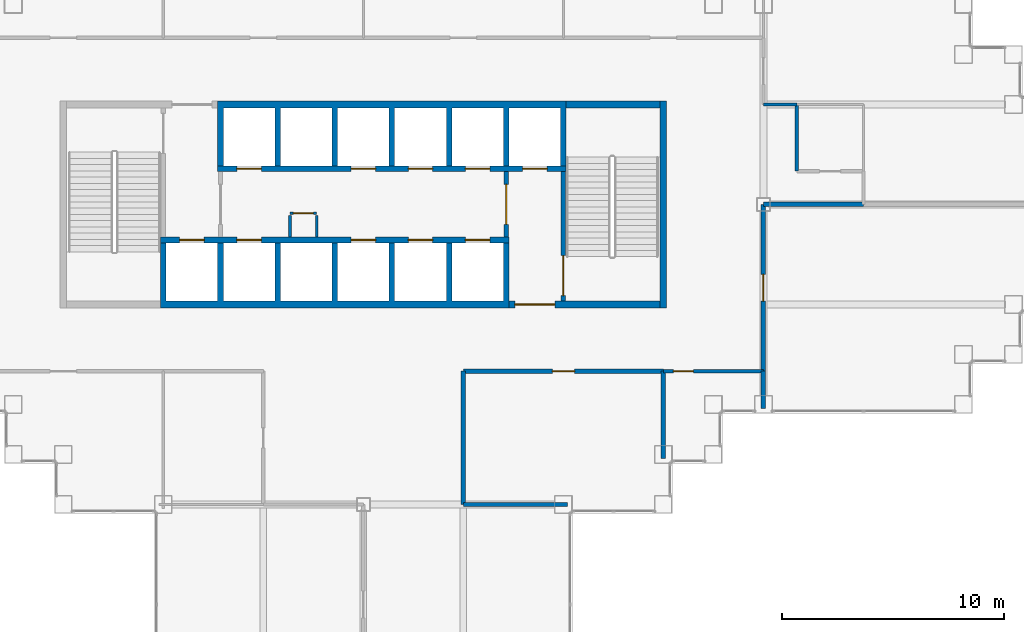
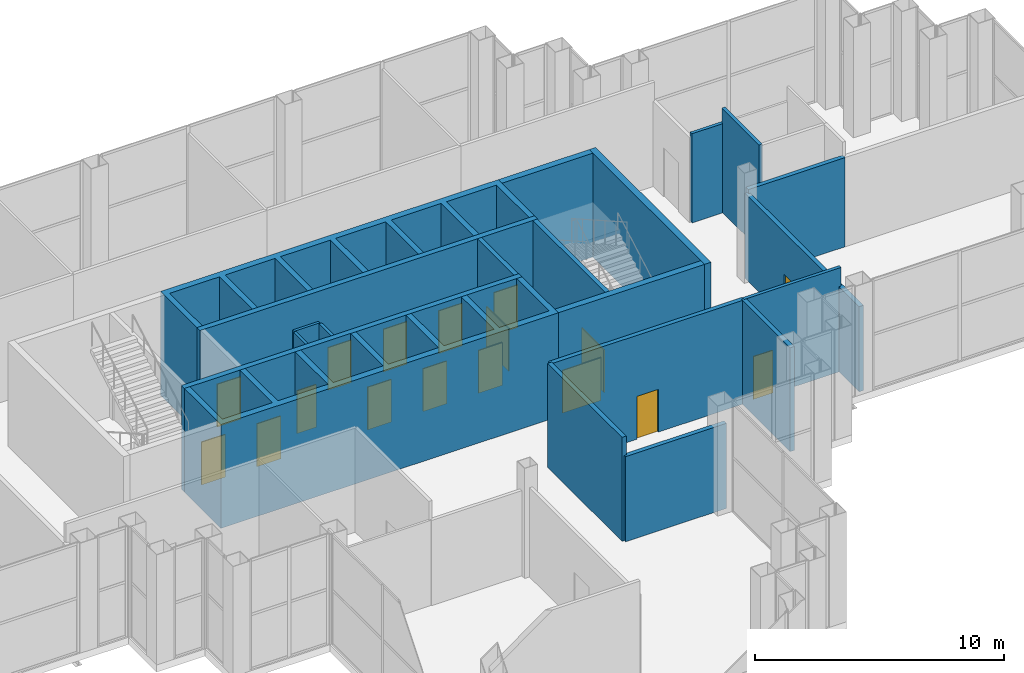
# One storey, part 12 of 18: 22 walls, 17 doors, 17 openings.
"""IFC4 building model written with IfcOpenShell, lengths in metres."""

from ifc_helpers import new_model, si_unit, direction, frame, frame_2d, origin, place, context, subcontext, project, spatial, polyline, rectangle, outline, extrude, material, layer, layer_set, type_object, element, fill, save


model = new_model("IFC4")

# Units and contexts
model_context = context("Model", 3, precision=1e-05, world=origin(), true_north=direction((0.0, 1.0)))
body_context = subcontext(model_context, "Body", "Model", "MODEL_VIEW")
ifc_project = project(units=[si_unit("LENGTHUNIT", "METRE"), si_unit("AREAUNIT", "SQUARE_METRE"), si_unit("VOLUMEUNIT", "CUBIC_METRE"), si_unit("PLANEANGLEUNIT", "RADIAN"), si_unit("MASSUNIT", "GRAM", prefix="KILO")], contexts=[model_context])

# Site, building, storey
site_placement = place(None, origin())
site = spatial("IfcSite", under=ifc_project, at=site_placement, CompositionType="ELEMENT")
building_placement = place(site_placement, origin())
building = spatial("IfcBuilding", under=site, at=building_placement, Name="Caravel Reach Hotel and Residences", CompositionType="ELEMENT")
storey_placement = place(building_placement, frame((0.0, 0.0, 145.199951171875)))
storey = spatial("IfcBuildingStorey", under=building, at=storey_placement, Name="L36", CompositionType="ELEMENT", Elevation=145.199951171875)

# Wall
ifc_material_1 = material(Name="Autoclaved aerated block wall")
ifc_layer_1 = layer(ifc_material_1, 0.199951171875)
ifc_layer_set_1 = layer_set([ifc_layer_1], Name="Compartment wall 200 mm EI 120")
wall_type_1 = type_object("IfcWallType", Name="Compartment wall 200 mm EI 120", PredefinedType="PARTITIONING", material=ifc_layer_set_1)
wall_1_placement = place(storey_placement, frame((36.0, 13.5, 0.0), z_axis=(0.0, 0.0, 1.0), x_axis=(1.0, 0.0, 0.0)))
element("IfcWall", 1, at=wall_1_placement, inside=storey, type_object=wall_type_1, Name="L36 wall w025", PredefinedType="PARTITIONING", context=body_context, shape_type="SweptSolid", body=[
    extrude(rectangle(XDim=4.68994140625, YDim=0.199951171875, at=frame_2d((2.344970703125, 0.0))), origin(), (0.0, 0.0, 1.0), 4.179931640625),
])

# Wall, opening, door
wall_2_placement = place(storey_placement, frame((36.0, 19.5, 0.0), z_axis=(0.0, 0.0, 1.0), x_axis=(1.0, 0.0, 0.0)))
wall_2 = element("IfcWall", 2, at=wall_2_placement, inside=storey, type_object=wall_type_1, Name="L36 wall w026", PredefinedType="PARTITIONING", context=body_context, shape_type="SweptSolid", body=[
    extrude(rectangle(XDim=9.0, YDim=0.199951171875, at=frame_2d((4.5, 0.0))), origin(), (0.0, 0.0, 1.0), 5.10009765625),
])
opening_1_placement = place(wall_2_placement, frame((4.0, 0.0, 0.0)))
opening_1 = element("IfcOpeningElement", 3, at=opening_1_placement, cuts=wall_2, Name="Opening D36-020", PredefinedType="OPENING", context=body_context, shape_type="SweptSolid", body=[
    extrude(rectangle(XDim=1.0, YDim=2.10009765625, at=frame_2d((0.5, 1.050048828125))), frame((0.0, 0.10986328125, 0.0), z_axis=(0.0, -1.0, 0.0), x_axis=(1.0, 0.0, 0.0)), (0.0, 0.0, 1.0), 0.219970703125),
])
ifc_material_2 = material(Name="Steel fire door leaf", Category="steel")
door_type_1 = type_object("IfcDoorType", Name="Fire door 1000 x 2100 EI 60", OperationType="SINGLE_SWING_LEFT", PredefinedType="DOOR", material=ifc_material_2)
door_1_placement = place(opening_1_placement, origin())
door_1 = element("IfcDoor", 4, at=door_1_placement, inside=storey, type_object=door_type_1, Name="door D36-020", OperationType="SINGLE_SWING_LEFT", OverallHeight=2.10009765625, OverallWidth=1.0, PredefinedType="DOOR", context=body_context, shape_type="SweptSolid", body=[
    extrude(rectangle(XDim=1.0, YDim=2.10009765625, at=frame_2d((0.5, 1.050048828125))), frame((0.0, 0.02490234375, 0.0), z_axis=(0.0, -1.0, 0.0), x_axis=(1.0, 0.0, 0.0)), (0.0, 0.0, 1.0), 0.050048828125),
])
fill(opening_1, door_1)

# Walls
wall_3_placement = place(storey_placement, frame((49.5, 27.0, 0.0), z_axis=(0.0, 0.0, 1.0), x_axis=(1.0, 0.0, 0.0)))
element("IfcWall", 5, at=wall_3_placement, inside=storey, type_object=wall_type_1, Name="L36 wall w027", PredefinedType="PARTITIONING", context=body_context, shape_type="SweptSolid", body=[
    extrude(rectangle(XDim=4.5, YDim=0.199951171875, at=frame_2d((2.25, 0.0))), origin(), (0.0, 0.0, 1.0), 4.380126953125),
])
wall_4_placement = place(storey_placement, frame((36.0, 13.5, 0.0), z_axis=(0.0, 0.0, 1.0), x_axis=(0.0, 1.0, 0.0)))
element("IfcWall", 6, at=wall_4_placement, inside=storey, type_object=wall_type_1, Name="L36 wall w032", PredefinedType="PARTITIONING", context=body_context, shape_type="SweptSolid", body=[
    extrude(rectangle(XDim=6.0, YDim=0.199951171875, at=frame_2d((3.0, 0.0))), origin(), (0.0, 0.0, 1.0), 5.10009765625),
])
wall_5_placement = place(storey_placement, frame((45.0, 15.56005859375, 0.0), z_axis=(0.0, 0.0, 1.0), x_axis=(0.0, 1.0, 0.0)))
element("IfcWall", 7, at=wall_5_placement, inside=storey, type_object=wall_type_1, Name="L36 wall w033", PredefinedType="PARTITIONING", context=body_context, shape_type="SweptSolid", body=[
    extrude(rectangle(XDim=3.93994140625, YDim=0.199951171875, at=frame_2d((1.969970703125, 0.0))), origin(), (0.0, 0.0, 1.0), 5.10009765625),
])
wall_6_placement = place(storey_placement, frame((49.5, 17.81005859375, 0.0), z_axis=(0.0, 0.0, 1.0), x_axis=(0.0, 1.0, 0.0)))
element("IfcWall", 8, at=wall_6_placement, inside=storey, type_object=wall_type_1, Name="L36 wall w034", PredefinedType="PARTITIONING", context=body_context, shape_type="SweptSolid", body=[
    extrude(rectangle(XDim=1.68994140625, YDim=0.199951171875, at=frame_2d((0.844970703125, 0.0))), origin(), (0.0, 0.0, 1.0), 4.179931640625),
])

# Wall, opening, door
wall_7_placement = place(storey_placement, frame((49.5, 19.5, 0.0), z_axis=(0.0, 0.0, 1.0), x_axis=(0.0, 1.0, 0.0)))
wall_7 = element("IfcWall", 9, at=wall_7_placement, inside=storey, type_object=wall_type_1, Name="L36 wall w035", PredefinedType="PARTITIONING", context=body_context, shape_type="SweptSolid", body=[
    extrude(rectangle(XDim=7.5, YDim=0.199951171875, at=frame_2d((3.75, 0.0))), origin(), (0.0, 0.0, 1.0), 4.179931640625),
])
opening_2_placement = place(wall_7_placement, frame((3.14990234375, 0.0, 0.0)))
opening_2 = element("IfcOpeningElement", 10, at=opening_2_placement, cuts=wall_7, Name="Opening D36-028", PredefinedType="OPENING", context=body_context, shape_type="SweptSolid", body=[
    extrude(rectangle(XDim=1.199951171875, YDim=2.10009765625, at=frame_2d((0.60009765625, 1.050048828125))), frame((0.0, 0.10986328125, 0.0), z_axis=(0.0, -1.0, 0.0), x_axis=(1.0, 0.0, 0.0)), (0.0, 0.0, 1.0), 0.219970703125),
])
ifc_material_3 = material(Name="Steel fire door leaf", Category="steel")
door_type_2 = type_object("IfcDoorType", Name="Plant room door 1200 x 2100 EI 60", OperationType="SINGLE_SWING_LEFT", PredefinedType="DOOR", material=ifc_material_3)
door_2_placement = place(opening_2_placement, origin())
door_2 = element("IfcDoor", 11, at=door_2_placement, inside=storey, type_object=door_type_2, Name="door D36-028", OperationType="SINGLE_SWING_LEFT", OverallHeight=2.10009765625, OverallWidth=1.199951171875, PredefinedType="DOOR", context=body_context, shape_type="SweptSolid", body=[
    extrude(rectangle(XDim=1.199951171875, YDim=2.10009765625, at=frame_2d((0.60009765625, 1.050048828125))), frame((0.0, 0.02490234375, 0.0), z_axis=(0.0, -1.0, 0.0), x_axis=(1.0, 0.0, 0.0)), (0.0, 0.0, 1.0), 0.050048828125),
])
fill(opening_2, door_2)

ifc_material_4 = material(Name="Concrete C60", Category="concrete")
ifc_layer_2 = layer(ifc_material_4, 0.300048828125)
ifc_layer_set_2 = layer_set([ifc_layer_2], Name="Core wall 300 mm EI 120")
wall_type_2 = type_object("IfcWallType", Name="Core wall 300 mm EI 120", PredefinedType="SHEAR", material=ifc_layer_set_2)
wall_8_placement = place(storey_placement, frame((38.053466796875, 22.5, 0.0), z_axis=(0.0, 0.0, 1.0), x_axis=(1.0, 0.0, 0.0)))
wall_8 = element("IfcWall", 12, at=wall_8_placement, inside=storey, type_object=wall_type_2, Name="L36 core wall S2", PredefinedType="SHEAR", context=body_context, shape_type="SweptSolid", body=[
    extrude(rectangle(XDim=6.796630859375, YDim=0.300048828125, at=frame_2d((3.3984375, 0.0))), origin(), (0.0, 0.0, 1.0), 5.10009765625),
])
opening_3_placement = place(wall_8_placement, frame((0.2607421875, 0.0, 0.0)))
opening_3 = element("IfcOpeningElement", 13, at=opening_3_placement, cuts=wall_8, Name="Opening D36-017", PredefinedType="OPENING", context=body_context, shape_type="SweptSolid", body=[
    extrude(rectangle(XDim=1.800048828125, YDim=2.10009765625, at=frame_2d((0.89990234375, 1.050048828125))), frame((0.0, 0.159912109375, 0.0), z_axis=(0.0, -1.0, 0.0), x_axis=(1.0, 0.0, 0.0)), (0.0, 0.0, 1.0), 0.320068359375),
])
ifc_material_5 = material(Name="Steel fire door leaf", Category="steel")
door_type_3 = type_object("IfcDoorType", Name="Fire lobby door pair 1800 x 2100 EI 90", OperationType="DOUBLE_DOOR_SINGLE_SWING", PredefinedType="DOOR", material=ifc_material_5)
door_3_placement = place(opening_3_placement, origin())
door_3 = element("IfcDoor", 14, at=door_3_placement, inside=storey, type_object=door_type_3, Name="lobby S door pair to corridor", OperationType="DOUBLE_DOOR_SINGLE_SWING", OverallHeight=2.10009765625, OverallWidth=1.800048828125, PredefinedType="DOOR", context=body_context, shape_type="SweptSolid", body=[
    extrude(rectangle(XDim=1.800048828125, YDim=2.10009765625, at=frame_2d((0.89990234375, 1.050048828125))), frame((0.0, 0.02490234375, 0.0), z_axis=(0.0, -1.0, 0.0), x_axis=(1.0, 0.0, 0.0)), (0.0, 0.0, 1.0), 0.050048828125),
])
fill(opening_3, door_3)

# Walls
wall_9_placement = place(storey_placement, frame((40.625, 31.5, 0.0), z_axis=(0.0, 0.0, 1.0), x_axis=(1.0, 0.0, 0.0)))
element("IfcWall", 15, at=wall_9_placement, inside=storey, type_object=wall_type_2, Name="L36 core wall N2", PredefinedType="SHEAR", context=body_context, shape_type="SweptSolid", body=[
    extrude(rectangle(XDim=4.22509765625, YDim=0.300048828125, at=frame_2d((2.112548828125, 0.0))), origin(), (0.0, 0.0, 1.0), 5.10009765625),
])
wall_10_placement = place(storey_placement, frame((45.0, 22.35009765625, 0.0), z_axis=(0.0, 0.0, 1.0), x_axis=(0.0, 1.0, 0.0)))
element("IfcWall", 16, at=wall_10_placement, inside=storey, type_object=wall_type_2, Name="L36 core wall E", PredefinedType="SHEAR", context=body_context, shape_type="SweptSolid", body=[
    extrude(rectangle(XDim=9.2998046875, YDim=0.300048828125, at=frame_2d((4.64990234375, 0.0))), origin(), (0.0, 0.0, 1.0), 5.10009765625),
])

# Wall, opening, door
ifc_material_6 = material(Name="Gypsum board on steel stud, fire-rated", Category="steel")
ifc_layer_3 = layer(ifc_material_6, 0.14990234375)
ifc_layer_set_3 = layer_set([ifc_layer_3], Name="Corridor wall 150 mm EI 60")
wall_type_3 = type_object("IfcWallType", Name="Corridor wall 150 mm EI 60", PredefinedType="PARTITIONING", material=ifc_layer_set_3)
wall_11_placement = place(storey_placement, frame((45.0, 19.5, 0.0), z_axis=(0.0, 0.0, 1.0), x_axis=(1.0, 0.0, 0.0)))
wall_11 = element("IfcWall", 17, at=wall_11_placement, inside=storey, type_object=wall_type_3, Name="L36 wall w004", PredefinedType="PARTITIONING", context=body_context, shape_type="SweptSolid", body=[
    extrude(rectangle(XDim=4.5, YDim=0.14990234375, at=frame_2d((2.25, 0.0))), origin(), (0.0, 0.0, 1.0), 5.10009765625),
])
opening_4_placement = place(wall_11_placement, frame((0.449951171875, 0.0, 0.0)))
opening_4 = element("IfcOpeningElement", 18, at=opening_4_placement, cuts=wall_11, Name="Opening D36-021", PredefinedType="OPENING", context=body_context, shape_type="SweptSolid", body=[
    extrude(rectangle(XDim=0.89990234375, YDim=2.10009765625, at=frame_2d((0.449951171875, 1.050048828125))), frame((0.0, 0.0849609375, 0.0), z_axis=(0.0, -1.0, 0.0), x_axis=(1.0, 0.0, 0.0)), (0.0, 0.0, 1.0), 0.169921875),
])
ifc_material_7 = material(Name="Timber and steel door leaf", Category="steel")
door_type_4 = type_object("IfcDoorType", Name="Door 900 x 2100 timber", OperationType="SINGLE_SWING_LEFT", PredefinedType="DOOR", material=ifc_material_7)
door_4_placement = place(opening_4_placement, origin())
door_4 = element("IfcDoor", 19, at=door_4_placement, inside=storey, type_object=door_type_4, Name="door D36-021", OperationType="SINGLE_SWING_LEFT", OverallHeight=2.10009765625, OverallWidth=0.89990234375, PredefinedType="DOOR", context=body_context, shape_type="SweptSolid", body=[
    extrude(rectangle(XDim=0.89990234375, YDim=2.10009765625, at=frame_2d((0.449951171875, 1.050048828125))), frame((0.0, 0.02490234375, 0.0), z_axis=(0.0, -1.0, 0.0), x_axis=(1.0, 0.0, 0.0)), (0.0, 0.0, 1.0), 0.050048828125),
])
fill(opening_4, door_4)

# Walls
wall_12_placement = place(storey_placement, frame((49.5, 31.5, 0.0), z_axis=(0.0, 0.0, 1.0), x_axis=(1.0, 0.0, 0.0)))
element("IfcWall", 20, at=wall_12_placement, inside=storey, type_object=wall_type_3, Name="L36 wall w006", PredefinedType="PARTITIONING", context=body_context, shape_type="SweptSolid", body=[
    extrude(rectangle(XDim=1.5, YDim=0.14990234375, at=frame_2d((0.75, 0.0))), origin(), (0.0, 0.0, 1.0), 4.380126953125),
])
wall_13_placement = place(storey_placement, frame((51.0, 28.5, 0.0), z_axis=(0.0, 0.0, 1.0), x_axis=(0.0, 1.0, 0.0)))
element("IfcWall", 21, at=wall_13_placement, inside=storey, type_object=wall_type_3, Name="L36 wall w015", PredefinedType="PARTITIONING", context=body_context, shape_type="SweptSolid", body=[
    extrude(rectangle(XDim=3.0, YDim=0.14990234375, at=frame_2d((1.5, 0.0))), origin(), (0.0, 0.0, 1.0), 5.10009765625),
])

# Wall, opening, door
ifc_material_8 = material(Name="Autoclaved aerated block wall")
ifc_layer_4 = layer(ifc_material_8, 0.199951171875)
ifc_layer_set_4 = layer_set([ifc_layer_4], Name="Fire lobby wall 200 mm EI 120")
wall_type_4 = type_object("IfcWallType", Name="Fire lobby wall 200 mm EI 120", PredefinedType="PARTITIONING", material=ifc_layer_set_4)
wall_14_placement = place(storey_placement, frame((37.928466796875, 25.52490234375, 0.0), z_axis=(0.0, 0.0, 1.0), x_axis=(0.0, 1.0, 0.0)))
wall_14 = element("IfcWall", 22, at=wall_14_placement, inside=storey, type_object=wall_type_4, Name="L36 lobby E wall", PredefinedType="PARTITIONING", context=body_context, shape_type="SweptSolid", body=[
    extrude(rectangle(XDim=2.9501953125, YDim=0.199951171875, at=frame_2d((1.47509765625, 0.0))), origin(), (0.0, 0.0, 1.0), 5.10009765625),
])
opening_5_placement = place(wall_14_placement, frame((0.574951171875, 0.0, 0.0)))
opening_5 = element("IfcOpeningElement", 23, at=opening_5_placement, cuts=wall_14, Name="Opening D36-015", PredefinedType="OPENING", context=body_context, shape_type="SweptSolid", body=[
    extrude(rectangle(XDim=1.800048828125, YDim=2.10009765625, at=frame_2d((0.89990234375, 1.050048828125))), frame((0.0, 0.10986328125, 0.0), z_axis=(0.0, -1.0, 0.0), x_axis=(1.0, 0.0, 0.0)), (0.0, 0.0, 1.0), 0.219970703125),
])
door_5_placement = place(opening_5_placement, origin())
door_5 = element("IfcDoor", 24, at=door_5_placement, inside=storey, type_object=door_type_3, Name="lobby E door pair", OperationType="DOUBLE_DOOR_SINGLE_SWING", OverallHeight=2.10009765625, OverallWidth=1.800048828125, PredefinedType="DOOR", context=body_context, shape_type="SweptSolid", body=[
    extrude(rectangle(XDim=1.800048828125, YDim=2.10009765625, at=frame_2d((0.89990234375, 1.050048828125))), frame((0.0, 0.02490234375, 0.0), z_axis=(0.0, -1.0, 0.0), x_axis=(1.0, 0.0, 0.0)), (0.0, 0.0, 1.0), 0.050048828125),
])
fill(opening_5, door_5)

ifc_material_9 = material(Name="Autoclaved aerated block wall")
ifc_layer_5 = layer(ifc_material_9, 0.125)
ifc_layer_set_5 = layer_set([ifc_layer_5], Name="Riser wall 125 mm EI 60")
wall_type_5 = type_object("IfcWallType", Name="Riser wall 125 mm EI 60", PredefinedType="PARTITIONING", material=ifc_layer_set_5)
wall_15_placement = place(storey_placement, frame((28.199951171875, 26.60009765625, 0.0), z_axis=(0.0, 0.0, 1.0), x_axis=(1.0, 0.0, 0.0)))
wall_15 = element("IfcWall", 25, at=wall_15_placement, inside=storey, type_object=wall_type_5, Name="L36 service room wall S1", PredefinedType="PARTITIONING", context=body_context, shape_type="SweptSolid", body=[
    extrude(rectangle(XDim=1.199951171875, YDim=0.125, at=frame_2d((0.60009765625, 0.0))), origin(), (0.0, 0.0, 1.0), 5.10009765625),
])
opening_6_placement = place(wall_15_placement, frame((0.14990234375, 0.0, 0.0)))
opening_6 = element("IfcOpeningElement", 26, at=opening_6_placement, cuts=wall_15, Name="Opening D36-011", PredefinedType="OPENING", context=body_context, shape_type="SweptSolid", body=[
    extrude(rectangle(XDim=0.89990234375, YDim=2.10009765625, at=frame_2d((0.449951171875, 1.050048828125))), frame((0.0, 0.072509765625, 0.0), z_axis=(0.0, -1.0, 0.0), x_axis=(1.0, 0.0, 0.0)), (0.0, 0.0, 1.0), 0.14501953125),
])
ifc_material_10 = material(Name="Steel fire door leaf", Category="steel")
door_type_5 = type_object("IfcDoorType", Name="Riser door 900 x 2100 EI 60", OperationType="SINGLE_SWING_LEFT", PredefinedType="DOOR", material=ifc_material_10)
door_6_placement = place(opening_6_placement, origin())
door_6 = element("IfcDoor", 27, at=door_6_placement, inside=storey, type_object=door_type_5, Name="Comms room door", OperationType="SINGLE_SWING_LEFT", OverallHeight=2.10009765625, OverallWidth=0.89990234375, PredefinedType="DOOR", context=body_context, shape_type="SweptSolid", body=[
    extrude(rectangle(XDim=0.89990234375, YDim=2.10009765625, at=frame_2d((0.449951171875, 1.050048828125))), frame((0.0, 0.02490234375, 0.0), z_axis=(0.0, -1.0, 0.0), x_axis=(1.0, 0.0, 0.0)), (0.0, 0.0, 1.0), 0.050048828125),
])
fill(opening_6, door_6)

# Walls
for number, where, z_axis, x_axis, name in (
    (28, (28.199951171875, 25.52490234375, 0.0), (0.0, 0.0, 1.0), (0.0, 1.0, 0.0), "L36 service room partition S1"),
    (29, (29.39990234375, 25.52490234375, 0.0), (0.0, 0.0, 1.0), (0.0, 1.0, 0.0), "L36 service room partition S1"),
):
    element("IfcWall", number, at=place(storey_placement, frame(where, z_axis=z_axis, x_axis=x_axis)), inside=storey, type_object=wall_type_5, Name=name, PredefinedType="PARTITIONING", context=body_context, shape_type="SweptSolid", body=[
        extrude(rectangle(XDim=0.97509765625, YDim=0.125, at=frame_2d((0.487548828125, 0.0))), origin(), (0.0, 0.0, 1.0), 5.10009765625),
    ])
ifc_material_11 = material(Name="Concrete C60", Category="concrete")
ifc_layer_6 = layer(ifc_material_11, 0.25)
ifc_layer_set_6 = layer_set([ifc_layer_6], Name="Shaft wall 250 mm EI 120")
wall_type_6 = type_object("IfcWallType", Name="Shaft wall 250 mm EI 120", PredefinedType="SHEAR", material=ifc_layer_set_6)
wall_16_placement = place(storey_placement, origin())
element("IfcWall", 30, at=wall_16_placement, inside=storey, type_object=wall_type_6, Name="L36 lift shaft wall S1", PredefinedType="SHEAR", context=body_context, shape_type="SweptSolid", body=[
    extrude(outline(polyline([(22.375, 22.35009765625), (38.053466796875, 22.35009765625), (38.053466796875, 25.27490234375), (37.803466796875, 25.27490234375), (37.803466796875, 22.64990234375), (35.482177734375, 22.64990234375), (35.482177734375, 25.27490234375), (35.232177734375, 25.27490234375), (35.232177734375, 22.64990234375), (32.91064453125, 22.64990234375), (32.91064453125, 25.27490234375), (32.66064453125, 25.27490234375), (32.66064453125, 22.64990234375), (30.33935546875, 22.64990234375), (30.33935546875, 25.27490234375), (30.08935546875, 25.27490234375), (30.08935546875, 22.64990234375), (27.767822265625, 22.64990234375), (27.767822265625, 25.27490234375), (27.517822265625, 25.27490234375), (27.517822265625, 22.64990234375), (25.196533203125, 22.64990234375), (25.196533203125, 25.27490234375), (24.946533203125, 25.27490234375), (24.946533203125, 22.64990234375), (22.625, 22.64990234375), (22.625, 25.27490234375), (22.375, 25.27490234375), (22.375, 22.35009765625)])), origin(), (0.0, 0.0, 1.0), 5.10009765625),
])
wall_17_placement = place(storey_placement, origin())
element("IfcWall", 31, at=wall_17_placement, inside=storey, type_object=wall_type_6, Name="L36 lift shaft wall N1", PredefinedType="SHEAR", context=body_context, shape_type="SweptSolid", body=[
    extrude(outline(polyline([(24.946533203125, 28.72509765625), (25.196533203125, 28.72509765625), (25.196533203125, 31.35009765625), (27.517822265625, 31.35009765625), (27.517822265625, 28.72509765625), (27.767822265625, 28.72509765625), (27.767822265625, 31.35009765625), (30.08935546875, 31.35009765625), (30.08935546875, 28.72509765625), (30.33935546875, 28.72509765625), (30.33935546875, 31.35009765625), (32.66064453125, 31.35009765625), (32.66064453125, 28.72509765625), (32.91064453125, 28.72509765625), (32.91064453125, 31.35009765625), (35.232177734375, 31.35009765625), (35.232177734375, 28.72509765625), (35.482177734375, 28.72509765625), (35.482177734375, 31.35009765625), (37.803466796875, 31.35009765625), (37.803466796875, 28.72509765625), (38.053466796875, 28.72509765625), (38.053466796875, 31.35009765625), (40.375, 31.35009765625), (40.375, 28.72509765625), (40.625, 28.72509765625), (40.625, 31.64990234375), (24.946533203125, 31.64990234375), (24.946533203125, 28.72509765625)])), origin(), (0.0, 0.0, 1.0), 5.10009765625),
])

# Wall, openings, doors
wall_18_placement = place(storey_placement, frame((22.375, 25.39990234375, 0.0), z_axis=(0.0, 0.0, 1.0), x_axis=(1.0, 0.0, 0.0)))
wall_18 = element("IfcWall", 32, at=wall_18_placement, inside=storey, type_object=wall_type_6, Name="L36 lobby wall S1", PredefinedType="SHEAR", context=body_context, shape_type="SweptSolid", body=[
    extrude(rectangle(XDim=15.678466796875, YDim=0.25, at=frame_2d((7.83935546875, 0.0))), origin(), (0.0, 0.0, 1.0), 5.10009765625),
])
opening_7_placement = place(wall_18_placement, frame((3.43212890625, 0.0, 0.0)))
opening_7 = element("IfcOpeningElement", 33, at=opening_7_placement, cuts=wall_18, Name="Opening D36-001", PredefinedType="OPENING", context=body_context, shape_type="SweptSolid", body=[
    extrude(rectangle(XDim=1.10009765625, YDim=2.10009765625, at=frame_2d((0.550048828125, 1.050048828125))), frame((0.0, 0.135009765625, 0.0), z_axis=(0.0, -1.0, 0.0), x_axis=(1.0, 0.0, 0.0)), (0.0, 0.0, 1.0), 0.27001953125),
])
opening_8_placement = place(wall_18_placement, frame((11.146484375, 0.0, 0.0)))
opening_8 = element("IfcOpeningElement", 34, at=opening_8_placement, cuts=wall_18, Name="Opening D36-002", PredefinedType="OPENING", context=body_context, shape_type="SweptSolid", body=[
    extrude(rectangle(XDim=1.10009765625, YDim=2.10009765625, at=frame_2d((0.550048828125, 1.050048828125))), frame((0.0, 0.135009765625, 0.0), z_axis=(0.0, -1.0, 0.0), x_axis=(1.0, 0.0, 0.0)), (0.0, 0.0, 1.0), 0.27001953125),
])
opening_9_placement = place(wall_18_placement, frame((13.718017578125, 0.0, 0.0)))
opening_9 = element("IfcOpeningElement", 35, at=opening_9_placement, cuts=wall_18, Name="Opening D36-003", PredefinedType="OPENING", context=body_context, shape_type="SweptSolid", body=[
    extrude(rectangle(XDim=1.10009765625, YDim=2.10009765625, at=frame_2d((0.550048828125, 1.050048828125))), frame((0.0, 0.135009765625, 0.0), z_axis=(0.0, -1.0, 0.0), x_axis=(1.0, 0.0, 0.0)), (0.0, 0.0, 1.0), 0.27001953125),
])
opening_10_placement = place(wall_18_placement, frame((8.574951171875, 0.0, 0.0)))
opening_10 = element("IfcOpeningElement", 36, at=opening_10_placement, cuts=wall_18, Name="Opening D36-006", PredefinedType="OPENING", context=body_context, shape_type="SweptSolid", body=[
    extrude(rectangle(XDim=1.10009765625, YDim=2.10009765625, at=frame_2d((0.550048828125, 1.050048828125))), frame((0.0, 0.135009765625, 0.0), z_axis=(0.0, -1.0, 0.0), x_axis=(1.0, 0.0, 0.0)), (0.0, 0.0, 1.0), 0.27001953125),
])
opening_11_placement = place(wall_18_placement, frame((0.860595703125, 0.0, 0.0)))
opening_11 = element("IfcOpeningElement", 37, at=opening_11_placement, cuts=wall_18, Name="Opening D36-009", PredefinedType="OPENING", context=body_context, shape_type="SweptSolid", body=[
    extrude(rectangle(XDim=1.10009765625, YDim=2.10009765625, at=frame_2d((0.550048828125, 1.050048828125))), frame((0.0, 0.135009765625, 0.0), z_axis=(0.0, -1.0, 0.0), x_axis=(1.0, 0.0, 0.0)), (0.0, 0.0, 1.0), 0.27001953125),
])
ifc_material_12 = material(Name="Stainless steel landing door", Category="steel")
door_type_6 = type_object("IfcDoorType", Name="Landing door LD 1100 x 2100 sliding", OperationType="DOUBLE_DOOR_SLIDING", PredefinedType="DOOR", material=ifc_material_12)
door_7_placement = place(opening_7_placement, origin())
door_7 = element("IfcDoor", 38, at=door_7_placement, inside=storey, type_object=door_type_6, Name="LP1 landing door", OperationType="DOUBLE_DOOR_SLIDING", OverallHeight=2.10009765625, OverallWidth=1.10009765625, PredefinedType="DOOR", context=body_context, shape_type="SweptSolid", body=[
    extrude(rectangle(XDim=1.10009765625, YDim=2.10009765625, at=frame_2d((0.550048828125, 1.050048828125))), frame((0.0, 0.02490234375, 0.0), z_axis=(0.0, -1.0, 0.0), x_axis=(1.0, 0.0, 0.0)), (0.0, 0.0, 1.0), 0.050048828125),
])
fill(opening_7, door_7)
door_8_placement = place(opening_8_placement, origin())
door_8 = element("IfcDoor", 39, at=door_8_placement, inside=storey, type_object=door_type_6, Name="LP2 landing door", OperationType="DOUBLE_DOOR_SLIDING", OverallHeight=2.10009765625, OverallWidth=1.10009765625, PredefinedType="DOOR", context=body_context, shape_type="SweptSolid", body=[
    extrude(rectangle(XDim=1.10009765625, YDim=2.10009765625, at=frame_2d((0.550048828125, 1.050048828125))), frame((0.0, 0.02490234375, 0.0), z_axis=(0.0, -1.0, 0.0), x_axis=(1.0, 0.0, 0.0)), (0.0, 0.0, 1.0), 0.050048828125),
])
fill(opening_8, door_8)
door_9_placement = place(opening_9_placement, origin())
door_9 = element("IfcDoor", 40, at=door_9_placement, inside=storey, type_object=door_type_6, Name="LP3 landing door", OperationType="DOUBLE_DOOR_SLIDING", OverallHeight=2.10009765625, OverallWidth=1.10009765625, PredefinedType="DOOR", context=body_context, shape_type="SweptSolid", body=[
    extrude(rectangle(XDim=1.10009765625, YDim=2.10009765625, at=frame_2d((0.550048828125, 1.050048828125))), frame((0.0, 0.02490234375, 0.0), z_axis=(0.0, -1.0, 0.0), x_axis=(1.0, 0.0, 0.0)), (0.0, 0.0, 1.0), 0.050048828125),
])
fill(opening_9, door_9)
door_10_placement = place(opening_10_placement, origin())
door_10 = element("IfcDoor", 41, at=door_10_placement, inside=storey, type_object=door_type_6, Name="MP1 landing door", OperationType="DOUBLE_DOOR_SLIDING", OverallHeight=2.10009765625, OverallWidth=1.10009765625, PredefinedType="DOOR", context=body_context, shape_type="SweptSolid", body=[
    extrude(rectangle(XDim=1.10009765625, YDim=2.10009765625, at=frame_2d((0.550048828125, 1.050048828125))), frame((0.0, 0.02490234375, 0.0), z_axis=(0.0, -1.0, 0.0), x_axis=(1.0, 0.0, 0.0)), (0.0, 0.0, 1.0), 0.050048828125),
])
fill(opening_10, door_10)
door_11_placement = place(opening_11_placement, origin())
door_11 = element("IfcDoor", 42, at=door_11_placement, inside=storey, type_object=door_type_6, Name="FL1 landing door", OperationType="DOUBLE_DOOR_SLIDING", OverallHeight=2.10009765625, OverallWidth=1.10009765625, PredefinedType="DOOR", context=body_context, shape_type="SweptSolid", body=[
    extrude(rectangle(XDim=1.10009765625, YDim=2.10009765625, at=frame_2d((0.550048828125, 1.050048828125))), frame((0.0, 0.02490234375, 0.0), z_axis=(0.0, -1.0, 0.0), x_axis=(1.0, 0.0, 0.0)), (0.0, 0.0, 1.0), 0.050048828125),
])
fill(opening_11, door_11)

wall_19_placement = place(storey_placement, frame((24.946533203125, 28.60009765625, 0.0), z_axis=(0.0, 0.0, 1.0), x_axis=(1.0, 0.0, 0.0)))
wall_19 = element("IfcWall", 43, at=wall_19_placement, inside=storey, type_object=wall_type_6, Name="L36 lobby wall N1", PredefinedType="SHEAR", context=body_context, shape_type="SweptSolid", body=[
    extrude(rectangle(XDim=15.678466796875, YDim=0.25, at=frame_2d((7.83935546875, 0.0))), origin(), (0.0, 0.0, 1.0), 5.10009765625),
])
opening_12_placement = place(wall_19_placement, frame((0.860595703125, 0.0, 0.0)))
opening_12 = element("IfcOpeningElement", 44, at=opening_12_placement, cuts=wall_19, Name="Opening D36-004", PredefinedType="OPENING", context=body_context, shape_type="SweptSolid", body=[
    extrude(rectangle(XDim=1.10009765625, YDim=2.10009765625, at=frame_2d((0.550048828125, 1.050048828125))), frame((0.0, 0.135009765625, 0.0), z_axis=(0.0, -1.0, 0.0), x_axis=(1.0, 0.0, 0.0)), (0.0, 0.0, 1.0), 0.27001953125),
])
opening_13_placement = place(wall_19_placement, frame((8.574951171875, 0.0, 0.0)))
opening_13 = element("IfcOpeningElement", 45, at=opening_13_placement, cuts=wall_19, Name="Opening D36-005", PredefinedType="OPENING", context=body_context, shape_type="SweptSolid", body=[
    extrude(rectangle(XDim=1.10009765625, YDim=2.10009765625, at=frame_2d((0.550048828125, 1.050048828125))), frame((0.0, 0.135009765625, 0.0), z_axis=(0.0, -1.0, 0.0), x_axis=(1.0, 0.0, 0.0)), (0.0, 0.0, 1.0), 0.27001953125),
])
opening_14_placement = place(wall_19_placement, frame((6.003662109375, 0.0, 0.0)))
opening_14 = element("IfcOpeningElement", 46, at=opening_14_placement, cuts=wall_19, Name="Opening D36-007", PredefinedType="OPENING", context=body_context, shape_type="SweptSolid", body=[
    extrude(rectangle(XDim=1.10009765625, YDim=2.10009765625, at=frame_2d((0.550048828125, 1.050048828125))), frame((0.0, 0.135009765625, 0.0), z_axis=(0.0, -1.0, 0.0), x_axis=(1.0, 0.0, 0.0)), (0.0, 0.0, 1.0), 0.27001953125),
])
opening_15_placement = place(wall_19_placement, frame((11.146484375, 0.0, 0.0)))
opening_15 = element("IfcOpeningElement", 47, at=opening_15_placement, cuts=wall_19, Name="Opening D36-008", PredefinedType="OPENING", context=body_context, shape_type="SweptSolid", body=[
    extrude(rectangle(XDim=1.10009765625, YDim=2.10009765625, at=frame_2d((0.550048828125, 1.050048828125))), frame((0.0, 0.135009765625, 0.0), z_axis=(0.0, -1.0, 0.0), x_axis=(1.0, 0.0, 0.0)), (0.0, 0.0, 1.0), 0.27001953125),
])
opening_16_placement = place(wall_19_placement, frame((13.718017578125, 0.0, 0.0)))
opening_16 = element("IfcOpeningElement", 48, at=opening_16_placement, cuts=wall_19, Name="Opening D36-010", PredefinedType="OPENING", context=body_context, shape_type="SweptSolid", body=[
    extrude(rectangle(XDim=1.10009765625, YDim=2.10009765625, at=frame_2d((0.550048828125, 1.050048828125))), frame((0.0, 0.135009765625, 0.0), z_axis=(0.0, -1.0, 0.0), x_axis=(1.0, 0.0, 0.0)), (0.0, 0.0, 1.0), 0.27001953125),
])
door_12_placement = place(opening_12_placement, origin())
door_12 = element("IfcDoor", 49, at=door_12_placement, inside=storey, type_object=door_type_6, Name="LP4 landing door", OperationType="DOUBLE_DOOR_SLIDING", OverallHeight=2.10009765625, OverallWidth=1.10009765625, PredefinedType="DOOR", context=body_context, shape_type="SweptSolid", body=[
    extrude(rectangle(XDim=1.10009765625, YDim=2.10009765625, at=frame_2d((0.550048828125, 1.050048828125))), frame((0.0, 0.02490234375, 0.0), z_axis=(0.0, -1.0, 0.0), x_axis=(1.0, 0.0, 0.0)), (0.0, 0.0, 1.0), 0.050048828125),
])
fill(opening_12, door_12)
door_13_placement = place(opening_13_placement, origin())
door_13 = element("IfcDoor", 50, at=door_13_placement, inside=storey, type_object=door_type_6, Name="LP5 landing door", OperationType="DOUBLE_DOOR_SLIDING", OverallHeight=2.10009765625, OverallWidth=1.10009765625, PredefinedType="DOOR", context=body_context, shape_type="SweptSolid", body=[
    extrude(rectangle(XDim=1.10009765625, YDim=2.10009765625, at=frame_2d((0.550048828125, 1.050048828125))), frame((0.0, 0.02490234375, 0.0), z_axis=(0.0, -1.0, 0.0), x_axis=(1.0, 0.0, 0.0)), (0.0, 0.0, 1.0), 0.050048828125),
])
fill(opening_13, door_13)
door_14_placement = place(opening_14_placement, origin())
door_14 = element("IfcDoor", 51, at=door_14_placement, inside=storey, type_object=door_type_6, Name="MP2 landing door", OperationType="DOUBLE_DOOR_SLIDING", OverallHeight=2.10009765625, OverallWidth=1.10009765625, PredefinedType="DOOR", context=body_context, shape_type="SweptSolid", body=[
    extrude(rectangle(XDim=1.10009765625, YDim=2.10009765625, at=frame_2d((0.550048828125, 1.050048828125))), frame((0.0, 0.02490234375, 0.0), z_axis=(0.0, -1.0, 0.0), x_axis=(1.0, 0.0, 0.0)), (0.0, 0.0, 1.0), 0.050048828125),
])
fill(opening_14, door_14)
door_15_placement = place(opening_15_placement, origin())
door_15 = element("IfcDoor", 52, at=door_15_placement, inside=storey, type_object=door_type_6, Name="MP3 landing door", OperationType="DOUBLE_DOOR_SLIDING", OverallHeight=2.10009765625, OverallWidth=1.10009765625, PredefinedType="DOOR", context=body_context, shape_type="SweptSolid", body=[
    extrude(rectangle(XDim=1.10009765625, YDim=2.10009765625, at=frame_2d((0.550048828125, 1.050048828125))), frame((0.0, 0.02490234375, 0.0), z_axis=(0.0, -1.0, 0.0), x_axis=(1.0, 0.0, 0.0)), (0.0, 0.0, 1.0), 0.050048828125),
])
fill(opening_15, door_15)
door_16_placement = place(opening_16_placement, origin())
door_16 = element("IfcDoor", 53, at=door_16_placement, inside=storey, type_object=door_type_6, Name="FL2 landing door", OperationType="DOUBLE_DOOR_SLIDING", OverallHeight=2.10009765625, OverallWidth=1.10009765625, PredefinedType="DOOR", context=body_context, shape_type="SweptSolid", body=[
    extrude(rectangle(XDim=1.10009765625, YDim=2.10009765625, at=frame_2d((0.550048828125, 1.050048828125))), frame((0.0, 0.02490234375, 0.0), z_axis=(0.0, -1.0, 0.0), x_axis=(1.0, 0.0, 0.0)), (0.0, 0.0, 1.0), 0.050048828125),
])
fill(opening_16, door_16)

# Wall, opening, door
ifc_material_13 = material(Name="Concrete C60", Category="concrete")
ifc_layer_7 = layer(ifc_material_13, 0.199951171875)
ifc_layer_set_7 = layer_set([ifc_layer_7], Name="Stair enclosure wall 200 mm EI 120")
wall_type_7 = type_object("IfcWallType", Name="Stair enclosure wall 200 mm EI 120", PredefinedType="SHEAR", material=ifc_layer_set_7)
wall_20_placement = place(storey_placement, frame((40.5, 22.64990234375, 0.0), z_axis=(0.0, 0.0, 1.0), x_axis=(0.0, 1.0, 0.0)))
wall_20 = element("IfcWall", 54, at=wall_20_placement, inside=storey, type_object=wall_type_7, Name="L36 stair B wall", PredefinedType="SHEAR", context=body_context, shape_type="SweptSolid", body=[
    extrude(rectangle(XDim=5.8251953125, YDim=0.199951171875, at=frame_2d((2.91259765625, 0.0))), origin(), (0.0, 0.0, 1.0), 5.10009765625),
])
opening_17_placement = place(wall_20_placement, frame((0.25, 0.0, 0.0)))
opening_17 = element("IfcOpeningElement", 55, at=opening_17_placement, cuts=wall_20, Name="Opening D36-013", PredefinedType="OPENING", context=body_context, shape_type="SweptSolid", body=[
    extrude(rectangle(XDim=1.800048828125, YDim=2.10009765625, at=frame_2d((0.89990234375, 1.050048828125))), frame((0.0, 0.10986328125, 0.0), z_axis=(0.0, -1.0, 0.0), x_axis=(1.0, 0.0, 0.0)), (0.0, 0.0, 1.0), 0.219970703125),
])
ifc_material_14 = material(Name="Steel fire door leaf", Category="steel")
door_type_7 = type_object("IfcDoorType", Name="Stair door pair 1800 x 2100 EI 90", OperationType="DOUBLE_DOOR_SINGLE_SWING", PredefinedType="DOOR", material=ifc_material_14)
door_17_placement = place(opening_17_placement, origin())
door_17 = element("IfcDoor", 56, at=door_17_placement, inside=storey, type_object=door_type_7, Name="stair B door pair", OperationType="DOUBLE_DOOR_SINGLE_SWING", OverallHeight=2.10009765625, OverallWidth=1.800048828125, PredefinedType="DOOR", context=body_context, shape_type="SweptSolid", body=[
    extrude(rectangle(XDim=1.800048828125, YDim=2.10009765625, at=frame_2d((0.89990234375, 1.050048828125))), frame((0.0, 0.02490234375, 0.0), z_axis=(0.0, -1.0, 0.0), x_axis=(1.0, 0.0, 0.0)), (0.0, 0.0, 1.0), 0.050048828125),
])
fill(opening_17, door_17)

save(model, "model.ifc")
